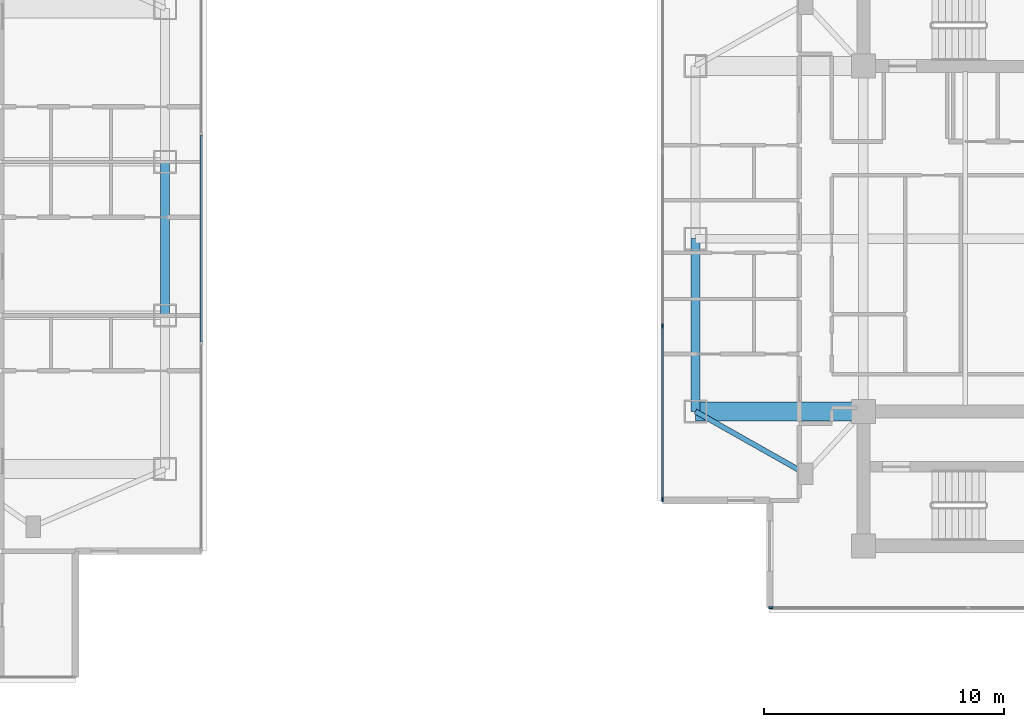
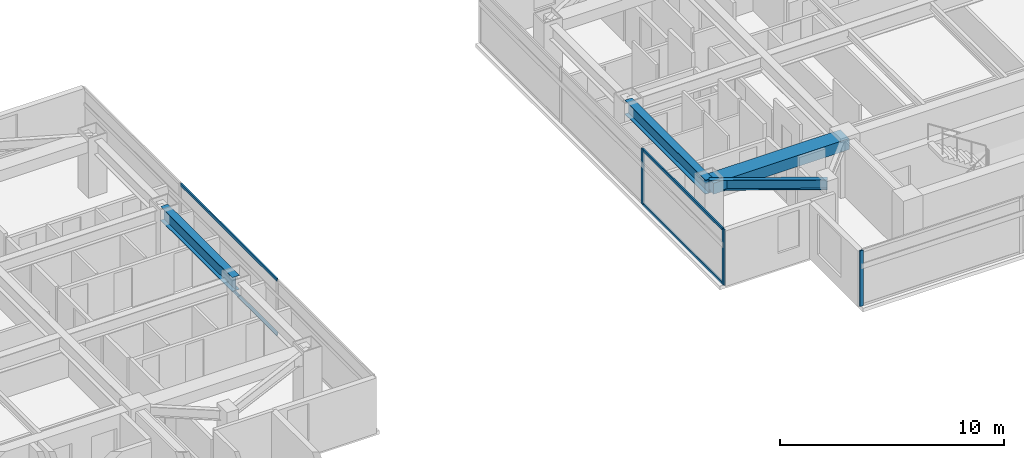
# One storey, part 5 of 24: 7 members, 4 beams, 3 elements without a shape of their own.
"""IFC4 building model written with IfcOpenShell, lengths in metres."""

from ifc_helpers import new_model, si_unit, direction, frame, origin, origin_2d, place, context, subcontext, project, spatial, rectangle, i_section, extrude, material, material_profile, profile_set, type_object, element, aggregate, save


model = new_model("IFC4")

# Units and contexts
model_context = context("Model", 3, precision=1e-05, world=origin(), true_north=direction((0.0, 1.0)))
body_context = subcontext(model_context, "Body", "Model", "MODEL_VIEW")
ifc_project = project(units=[si_unit("LENGTHUNIT", "METRE"), si_unit("AREAUNIT", "SQUARE_METRE"), si_unit("VOLUMEUNIT", "CUBIC_METRE"), si_unit("PLANEANGLEUNIT", "RADIAN"), si_unit("MASSUNIT", "GRAM", prefix="KILO")], contexts=[model_context])

# Site, building, storey
site_placement = place(None, origin())
site = spatial("IfcSite", under=ifc_project, at=site_placement, CompositionType="ELEMENT")
building_placement = place(site_placement, origin())
building = spatial("IfcBuilding", under=site, at=building_placement, Name="Mirazonda Arch Towers", CompositionType="ELEMENT")
storey_placement = place(building_placement, frame((0.0, 0.0, 157.64990234375)))
storey = spatial("IfcBuildingStorey", under=building, at=storey_placement, Name="L44", CompositionType="ELEMENT", Elevation=157.64990234375)

# Beams
ifc_material_1 = material(Name="Steel ASTM A992 Grade 50", Category="steel")
ifc_material_profile_1 = material_profile(ifc_material_1, i_section(OverallWidth=0.381103515625, OverallDepth=0.77294921875, WebThickness=0.0166015625, FlangeThickness=0.027099609375, at=origin_2d()), Name="W30X173")
ifc_profile_set_1 = profile_set([ifc_material_profile_1], Name="Steel ASTM A992 Grade 50")
beam_type_1 = type_object("IfcBeamType", Name="BM-EXT-W30X173", PredefinedType="USERDEFINED", material=ifc_profile_set_1)
beam_1_placement = place(storey_placement, frame((38.89990234375, 24.800048828125, 2.66357421875), z_axis=(0.0, 1.0, 0.0), x_axis=(-1.0, 0.0, 0.0)))
element("IfcBeam", 1, at=beam_1_placement, inside=storey, type_object=beam_type_1, Name="L44 Floor Beam BM-T1-L44-NS-E-24", ObjectType="GIRDER", PredefinedType="USERDEFINED", context=body_context, shape_type="SweptSolid", body=[
    extrude(i_section(OverallWidth=0.381103515625, OverallDepth=0.77294921875, WebThickness=0.0166015625, FlangeThickness=0.027099609375, at=origin_2d()), origin(), (0.0, 0.0, 1.0), 6.39990234375),
])
beam_2_placement = place(storey_placement, frame((61.0, 20.800048828125, 2.66357421875), z_axis=(0.0, 1.0, 0.0), x_axis=(-1.0, 0.0, 0.0)))
element("IfcBeam", 2, at=beam_2_placement, inside=storey, type_object=beam_type_1, Name="L44 Floor Beam BM-T2-L44-NS-W-20", ObjectType="GIRDER", PredefinedType="USERDEFINED", context=body_context, shape_type="SweptSolid", body=[
    extrude(i_section(OverallWidth=0.381103515625, OverallDepth=0.77294921875, WebThickness=0.0166015625, FlangeThickness=0.027099609375, at=origin_2d()), origin(), (0.0, 0.0, 1.0), 7.199951171875),
])
ifc_material_profile_2 = material_profile(ifc_material_1, i_section(OverallWidth=0.214111328125, OverallDepth=0.549072265625, WebThickness=0.0146484375, FlangeThickness=0.023681640625, at=origin_2d()), Name="W21X93")
ifc_profile_set_2 = profile_set([ifc_material_profile_2], Name="Steel ASTM A992 Grade 50")
beam_type_2 = type_object("IfcBeamType", Name="BM-INT-W21X93", PredefinedType="BEAM", material=ifc_profile_set_2)
beam_3_placement = place(storey_placement, frame((65.60009765625, 18.199951171875, 2.775634765625), z_axis=(-0.870559396632, 0.492063346467, 0.0), x_axis=(-0.492063346467, -0.870559396632, 0.0)))
element("IfcBeam", 3, at=beam_3_placement, inside=storey, type_object=beam_type_2, Name="L44 Floor Beam BM-T2-L44-PL-SW2", PredefinedType="BEAM", context=body_context, shape_type="SweptSolid", body=[
    extrude(i_section(OverallWidth=0.214111328125, OverallDepth=0.549072265625, WebThickness=0.0146484375, FlangeThickness=0.023681640625, at=origin_2d()), origin(), (0.0, 0.0, 1.0), 5.2841796875),
])
ifc_material_2 = material(Name="Concrete C60/75", Category="concrete")
ifc_material_profile_3 = material_profile(ifc_material_2, rectangle(XDim=0.800048828125, YDim=0.60009765625, at=origin_2d()), Name="RCCB800x600")
ifc_profile_set_3 = profile_set([ifc_material_profile_3], Name="Concrete C60/75")
beam_type_3 = type_object("IfcBeamType", Name="CB-INT-RCCB800x600", PredefinedType="SPANDREL", material=ifc_profile_set_3)
beam_4_placement = place(storey_placement, frame((61.0, 20.800048828125, 2.75), z_axis=(1.0, 0.0, 0.0), x_axis=(0.0, 1.0, 0.0)))
element("IfcBeam", 4, at=beam_4_placement, inside=storey, type_object=beam_type_3, Name="L44 Floor Beam CBC-T2-L44-SW", PredefinedType="SPANDREL", context=body_context, shape_type="SweptSolid", body=[
    extrude(rectangle(XDim=0.800048828125, YDim=0.60009765625, at=origin_2d()), origin(), (0.0, 0.0, 1.0), 7.0),
])

# Curtain wall, member
ifc_material_3 = material(Name="Anodised Aluminium and Low-E Glass", Category="aluminium")
curtain_wall_type = type_object("IfcCurtainWallType", Name="CW-RES-UNIT", PredefinedType="NOTDEFINED", material=ifc_material_3)
curtain_wall_1_placement = place(storey_placement, origin())
curtain_wall_1 = element("IfcCurtainWall", 5, at=curtain_wall_1_placement, inside=storey, type_object=curtain_wall_type, Name="L44 T2 S Facade CW-L44-T2-S", PredefinedType="NOTDEFINED")
ifc_material_4 = material(Name="Anodised Aluminium Alloy", Category="aluminium")
ifc_material_profile_4 = material_profile(ifc_material_4, rectangle(XDim=0.074951171875, YDim=0.175048828125, at=origin_2d()), Name="ALU-MULL-75x175")
ifc_profile_set_4 = profile_set([ifc_material_profile_4], Name="Anodised Aluminium Alloy")
member_type_1 = type_object("IfcMemberType", Name="MULL-CW-RES-UNIT", PredefinedType="MULLION", material=ifc_profile_set_4)
member_1_placement = place(storey_placement, frame((64.132080078125, 12.625244140625, 0.0), z_axis=(0.0, 0.0, 1.0), x_axis=(0.0, -1.0, 0.0)))
member_1 = element("IfcMember", 6, at=member_1_placement, type_object=member_type_1, Name="CW-104 mullion 4", PredefinedType="MULLION", context=body_context, shape_type="SweptSolid", body=[
    extrude(rectangle(XDim=0.074951171875, YDim=0.175048828125, at=origin_2d()), origin(), (0.0, 0.0, 1.0), 3.030029296875),
])
aggregate(curtain_wall_1, [member_1])

# Curtain wall, members
curtain_wall_2_placement = place(storey_placement, origin())
curtain_wall_2 = element("IfcCurtainWall", 7, at=curtain_wall_2_placement, inside=storey, type_object=curtain_wall_type, Name="L44 T2 W Facade CW-L44-T2-W", PredefinedType="NOTDEFINED")
member_2_placement = place(storey_placement, frame((59.62939453125, 24.363525390625, 0.0), z_axis=(0.0, 0.0, 1.0), x_axis=(1.0, 0.0, 0.0)))
member_2 = element("IfcMember", 8, at=member_2_placement, type_object=member_type_1, Name="CW-104 mullion 3", PredefinedType="MULLION", context=body_context, shape_type="SweptSolid", body=[
    extrude(rectangle(XDim=0.074951171875, YDim=0.175048828125, at=origin_2d()), origin(), (0.0, 0.0, 1.0), 3.030029296875),
])
member_3_placement = place(storey_placement, frame((59.62939453125, 17.1279296875, 0.0), z_axis=(0.0, 0.0, 1.0), x_axis=(1.0, 0.0, 0.0)))
member_3 = element("IfcMember", 9, at=member_3_placement, type_object=member_type_1, Name="CW-104 mullion 4", PredefinedType="MULLION", context=body_context, shape_type="SweptSolid", body=[
    extrude(rectangle(XDim=0.074951171875, YDim=0.175048828125, at=origin_2d()), origin(), (0.0, 0.0, 1.0), 3.030029296875),
])

curtain_wall_3_placement = place(storey_placement, origin())
curtain_wall_3 = element("IfcCurtainWall", 10, at=curtain_wall_3_placement, inside=storey, type_object=curtain_wall_type, Name="L44 T1 E Facade CW-L44-T1-E", PredefinedType="NOTDEFINED")
ifc_material_profile_5 = material_profile(ifc_material_4, rectangle(XDim=0.074951171875, YDim=0.155029296875, at=origin_2d()), Name="ALU-TRAN-75x155")
ifc_profile_set_5 = profile_set([ifc_material_profile_5], Name="Anodised Aluminium Alloy")
member_type_2 = type_object("IfcMemberType", Name="TRAN-CW-RES-UNIT", PredefinedType="USERDEFINED", material=ifc_profile_set_5)
member_4_placement = place(storey_placement, frame((40.409912109375, 23.696533203125, 0.03759765625), z_axis=(0.0, 1.0, 0.0), x_axis=(-1.0, 0.0, 0.0)))
member_4 = element("IfcMember", 11, at=member_4_placement, type_object=member_type_2, Name="CW-104 transom 2.1", ObjectType="TRANSOM", PredefinedType="USERDEFINED", context=body_context, shape_type="SweptSolid", body=[
    extrude(rectangle(XDim=0.074951171875, YDim=0.155029296875, at=origin_2d()), origin(), (0.0, 0.0, 1.0), 8.60693359375),
])
member_5_placement = place(storey_placement, frame((40.409912109375, 23.696533203125, 2.99267578125), z_axis=(0.0, 1.0, 0.0), x_axis=(-1.0, 0.0, 0.0)))
member_5 = element("IfcMember", 12, at=member_5_placement, type_object=member_type_2, Name="CW-104 transom 2.2", ObjectType="TRANSOM", PredefinedType="USERDEFINED", context=body_context, shape_type="SweptSolid", body=[
    extrude(rectangle(XDim=0.074951171875, YDim=0.155029296875, at=origin_2d()), origin(), (0.0, 0.0, 1.0), 8.60693359375),
])
aggregate(curtain_wall_3, [member_4, member_5])

# Member
member_6_placement = place(storey_placement, frame((59.62939453125, 24.325927734375, 0.03759765625), z_axis=(0.0, -1.0, 0.0), x_axis=(1.0, 0.0, 0.0)))
member_6 = element("IfcMember", 13, at=member_6_placement, type_object=member_type_2, Name="CW-104 transom 3.1", ObjectType="TRANSOM", PredefinedType="USERDEFINED", context=body_context, shape_type="SweptSolid", body=[
    extrude(rectangle(XDim=0.074951171875, YDim=0.155029296875, at=origin_2d()), origin(), (0.0, 0.0, 1.0), 7.16064453125),
])

member_7_placement = place(storey_placement, frame((59.62939453125, 24.325927734375, 2.99267578125), z_axis=(0.0, -1.0, 0.0), x_axis=(1.0, 0.0, 0.0)))
member_7 = element("IfcMember", 14, at=member_7_placement, type_object=member_type_2, Name="CW-104 transom 3.2", ObjectType="TRANSOM", PredefinedType="USERDEFINED", context=body_context, shape_type="SweptSolid", body=[
    extrude(rectangle(XDim=0.074951171875, YDim=0.155029296875, at=origin_2d()), origin(), (0.0, 0.0, 1.0), 7.16064453125),
])

aggregate(curtain_wall_2, [member_2, member_3, member_6, member_7])

save(model, "model.ifc")
